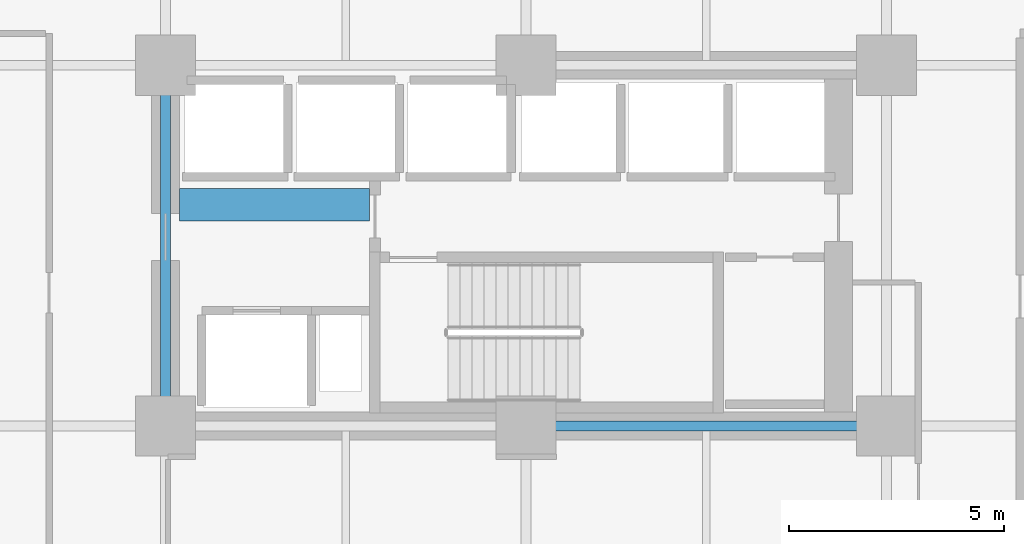
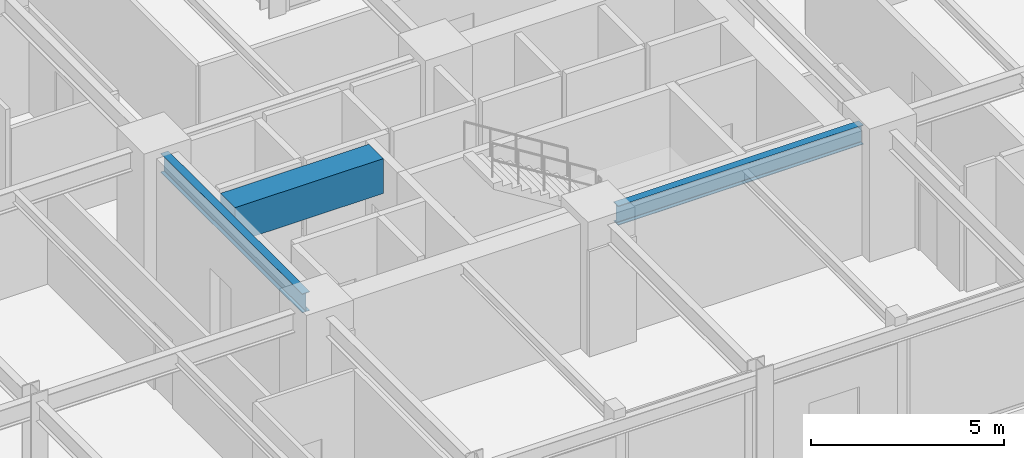
# One storey, part 5 of 25: 3 beams.
"""IFC4 building model written with IfcOpenShell, lengths in metres."""

from ifc_helpers import new_model, si_unit, direction, frame, origin, origin_2d, place, context, subcontext, project, spatial, rectangle, i_section, extrude, material, material_profile, profile_set, type_object, element, save


model = new_model("IFC4")

# Units and contexts
model_context = context("Model", 3, precision=1e-05, world=origin(), true_north=direction((0.0, 1.0)))
body_context = subcontext(model_context, "Body", "Model", "MODEL_VIEW")
ifc_project = project(units=[si_unit("LENGTHUNIT", "METRE"), si_unit("AREAUNIT", "SQUARE_METRE"), si_unit("VOLUMEUNIT", "CUBIC_METRE"), si_unit("PLANEANGLEUNIT", "RADIAN"), si_unit("MASSUNIT", "GRAM", prefix="KILO")], contexts=[model_context])

# Site, building, storey
site_placement = place(None, origin())
site = spatial("IfcSite", under=ifc_project, at=site_placement, CompositionType="ELEMENT")
building_placement = place(site_placement, origin())
building = spatial("IfcBuilding", under=site, at=building_placement, Name="Nerrivon Quay Data Exchange", CompositionType="ELEMENT")
storey_placement = place(building_placement, frame((0.0, 0.0, 24.800048828125)))
storey = spatial("IfcBuildingStorey", under=building, at=storey_placement, Name="L05", CompositionType="ELEMENT", Elevation=24.800048828125)

# Beams
ifc_material_1 = material(Name="Concrete S65 (65 MPa)", Category="concrete")
ifc_material_profile_1 = material_profile(ifc_material_1, rectangle(XDim=0.75, YDim=1.10009765625, at=origin_2d()), Name="RC-CB-750x1100")
ifc_profile_set_1 = profile_set([ifc_material_profile_1], Name="Concrete S65 (65 MPa)")
beam_type_1 = type_object("IfcBeamType", Name="BM-CB1-750x1100", PredefinedType="LINTEL", material=ifc_profile_set_1)
beam_1_placement = place(storey_placement, frame((17.125, 13.550048828125, 3.375), z_axis=(1.0, 0.0, 0.0), x_axis=(0.0, 1.0, 0.0)))
element("IfcBeam", 1, at=beam_1_placement, inside=storey, type_object=beam_type_1, Name="L05 East Core Coupling Beam", PredefinedType="LINTEL", context=body_context, shape_type="SweptSolid", body=[
    extrude(rectangle(XDim=0.75, YDim=1.10009765625, at=origin_2d()), origin(), (0.0, 0.0, 1.0), 4.429931640625),
])
ifc_material_2 = material(Name="Steel Grade 350", Category="steel")
ifc_material_profile_2 = material_profile(ifc_material_2, i_section(OverallWidth=0.22900390625, OverallDepth=0.612060546875, WebThickness=0.011962890625, FlangeThickness=0.01953125, FilletRadius=0.013916015625, at=origin_2d()), Name="610UB125")
ifc_profile_set_2 = profile_set([ifc_material_profile_2], Name="Steel Grade 350")
beam_type_2 = type_object("IfcBeamType", Name="BM-G1-610UB125", PredefinedType="BEAM", material=ifc_profile_set_2)
beam_2_placement = place(storey_placement, frame((25.739990234375, 8.39990234375, 3.618896484375), z_axis=(1.0, 0.0, 0.0), x_axis=(0.0, 1.0, 0.0)))
element("IfcBeam", 2, at=beam_2_placement, inside=storey, type_object=beam_type_2, Name="L05 EW Girder Y=8.4 (25.2..33.6)", PredefinedType="BEAM", context=body_context, shape_type="SweptSolid", body=[
    extrude(i_section(OverallWidth=0.22900390625, OverallDepth=0.612060546875, WebThickness=0.011962890625, FlangeThickness=0.01953125, FilletRadius=0.013916015625, at=origin_2d()), origin(), (0.0, 0.0, 1.0), 7.320068359375),
])
ifc_material_profile_3 = material_profile(ifc_material_2, i_section(OverallWidth=0.22802734375, OverallDepth=0.60205078125, WebThickness=0.010498046875, FlangeThickness=0.014892578125, FilletRadius=0.013916015625, at=origin_2d()), Name="610UB101")
ifc_profile_set_3 = profile_set([ifc_material_profile_3], Name="Steel Grade 350")
beam_type_3 = type_object("IfcBeamType", Name="BM-G2-610UB101", PredefinedType="BEAM", material=ifc_profile_set_3)
beam_3_placement = place(storey_placement, frame((16.800048828125, 8.93994140625, 3.6240234375), z_axis=(0.0, 1.0, 0.0), x_axis=(-1.0, 0.0, 0.0)))
element("IfcBeam", 3, at=beam_3_placement, inside=storey, type_object=beam_type_3, Name="L05 NS Girder X=16.8 (8.4..16.8)", PredefinedType="BEAM", context=body_context, shape_type="SweptSolid", body=[
    extrude(i_section(OverallWidth=0.22802734375, OverallDepth=0.60205078125, WebThickness=0.010498046875, FlangeThickness=0.014892578125, FilletRadius=0.013916015625, at=origin_2d()), origin(), (0.0, 0.0, 1.0), 7.320068359375),
])

save(model, "model.ifc")
